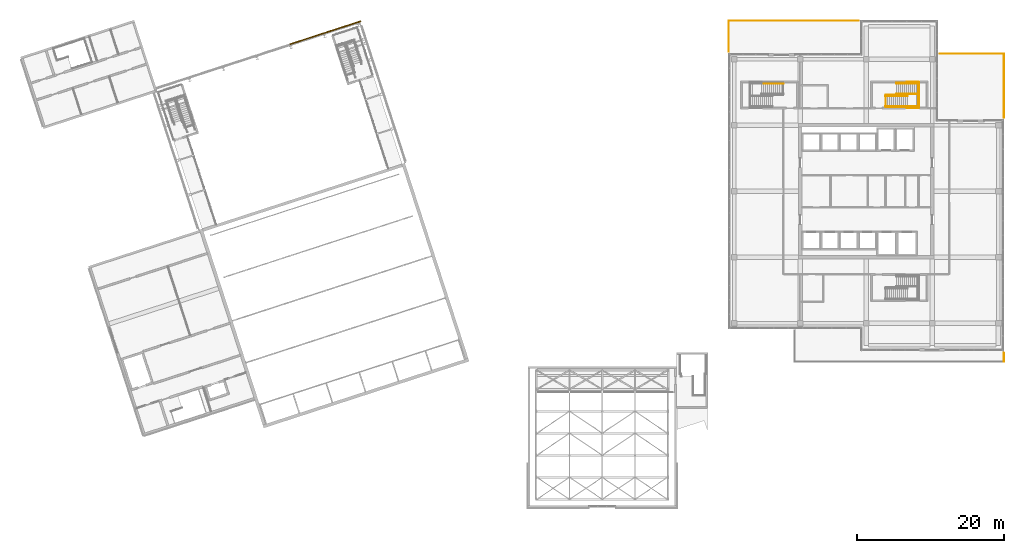
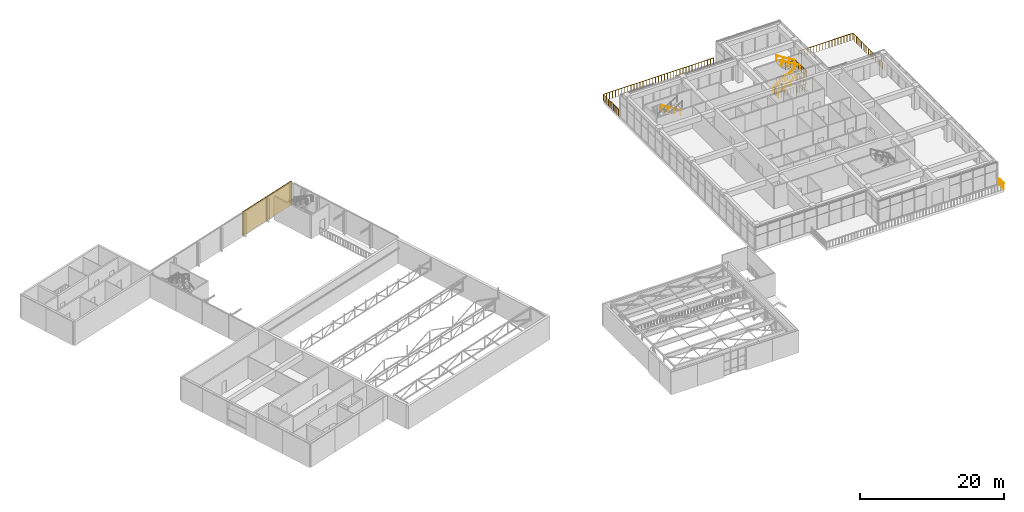
# One storey, part 81 of 81: 14 railings, 2 coverings.
"""IFC4 building model written with IfcOpenShell, lengths in metres."""

import ifcopenshell
import ifcopenshell.guid

model = None  # the IFC model being written
_history = None  # IfcOwnerHistory: only IFC2X3 demands one
_inside = {}  # id of a spatial element -> (the spatial element, [elements in it])
_under = {}  # id of a project, library or spatial element -> (it, [spatial elements below it])
_declared = {}  # id of a project -> (the project, [libraries it declares])
_typed = {}  # id of a type object -> (the type object, [elements of that type])
_made_of = {}  # id of a material, layer set ... -> (it, [elements and type objects made of it])


def new_model(schema):
    """Start an empty IFC model of exactly this schema.

    Asked for "IFC4X3", IfcOpenShell would pick the latest addendum, in which some entities
    have other attributes; the version numbers below select the first issue.
    IFC2X3 requires an IfcOwnerHistory on every rooted entity: one is made here for all.
    """
    global model, _history
    if schema == "IFC4X3":
        model = ifcopenshell.file(schema_version=(4, 3, 0, 0))
    else:
        model = ifcopenshell.file(schema=schema)
    _inside.clear()
    _under.clear()
    _declared.clear()
    _typed.clear()
    _made_of.clear()
    _history = None
    if model.schema == "IFC2X3":
        org = make("IfcOrganization", Name="unknown")
        user = make(
            "IfcPersonAndOrganization",
            ThePerson=make("IfcPerson", FamilyName="unknown"),
            TheOrganization=org,
        )
        app = make(
            "IfcApplication",
            ApplicationDeveloper=org,
            Version="unknown",
            ApplicationFullName="unknown",
            ApplicationIdentifier="unknown",
        )
        _history = make(
            "IfcOwnerHistory",
            OwningUser=user,
            OwningApplication=app,
            ChangeAction="ADDED",
            CreationDate=0,
        )
    return model


def make(cls, **values):
    """One entity of the class cls with the attributes given. An attribute that is None is left unset."""
    return model.create_entity(
        cls, **{name: value for name, value in values.items() if value is not None}
    )


def rooted(cls, **values):
    """An entity with a GlobalId (a new one), such as an element, a storey or a relation."""
    return make(cls, GlobalId=ifcopenshell.guid.new(), OwnerHistory=_history, **values)


def si_unit(unit_type, name, prefix=None):
    """IfcSIUnit, for example si_unit("LENGTHUNIT", "METRE", prefix="MILLI")."""
    return make("IfcSIUnit", UnitType=unit_type, Prefix=prefix, Name=name)


def assignment(units):
    """IfcUnitAssignment: the units of a project."""
    return None if units is None else make("IfcUnitAssignment", Units=units)


def point(xyz):
    """IfcCartesianPoint."""
    return None if xyz is None else make("IfcCartesianPoint", Coordinates=xyz)


def direction(xyz):
    """IfcDirection."""
    return None if xyz is None else make("IfcDirection", DirectionRatios=xyz)


def frame(location, z_axis=None, x_axis=None):
    """IfcAxis2Placement3D, a coordinate frame: its origin and axes. An axis left out is left unset."""
    return make(
        "IfcAxis2Placement3D",
        Location=point(location),
        Axis=direction(z_axis),
        RefDirection=direction(x_axis),
    )


def frame_2d(location, x_axis=None):
    """IfcAxis2Placement2D, a coordinate frame in the plane: its origin and x axis."""
    return make(
        "IfcAxis2Placement2D", Location=point(location), RefDirection=direction(x_axis)
    )


def origin():
    """The frame at (0, 0, 0) with its axes left unset."""
    return frame((0.0, 0.0, 0.0))


def origin_2d():
    """The frame at (0, 0) in the plane with its x axis left unset."""
    return frame_2d((0.0, 0.0))


def place(relative_to, where):
    """IfcLocalPlacement: puts the frame where relative to a parent placement (None: the world)."""
    return make(
        "IfcLocalPlacement", PlacementRelTo=relative_to, RelativePlacement=where
    )


def context(
    kind, dimensions, precision=None, world=None, true_north=None, identifier=None
):
    """IfcGeometricRepresentationContext, for example the 3D "Model" context."""
    return make(
        "IfcGeometricRepresentationContext",
        ContextIdentifier=identifier,
        ContextType=kind,
        CoordinateSpaceDimension=dimensions,
        Precision=precision,
        WorldCoordinateSystem=world,
        TrueNorth=true_north,
    )


def subcontext(parent, identifier, kind, view, scale=None):
    """IfcGeometricRepresentationSubContext, for example "Body" below "Model"."""
    return make(
        "IfcGeometricRepresentationSubContext",
        ContextIdentifier=identifier,
        ContextType=kind,
        ParentContext=parent,
        TargetScale=scale,
        TargetView=view,
    )


def project(units=None, contexts=None):
    """IfcProject with its units and contexts."""
    return rooted(
        "IfcProject",
        Name="project",
        RepresentationContexts=contexts,
        UnitsInContext=assignment(units),
    )


def spatial(cls, under=None, at=None, **own):
    """A site, building, storey or space (cls), placed at a placement, below another one or the project."""
    s = rooted(cls, ObjectPlacement=at, **own)
    if under is not None:
        _under.setdefault(under.id(), (under, []))[1].append(s)
    return s


def polyline(points):
    """IfcPolyline through the points."""
    return make("IfcPolyline", Points=[point(p) for p in points])


def profile(cls, at=None, kind="AREA", **sizes):
    """A parametric profile (cls). Its sizes go by their IFC names, for example OverallWidth=200.0."""
    return make(cls, ProfileType=kind, Position=at, **sizes)


def circle(**sizes):
    """IfcCircleProfileDef."""
    return profile("IfcCircleProfileDef", **sizes)


def outline(outer, holes=None, kind="AREA"):
    """IfcArbitraryClosedProfileDef: a profile drawn as a closed curve; with holes, ...WithVoids."""
    if holes is None:
        return make("IfcArbitraryClosedProfileDef", ProfileType=kind, OuterCurve=outer)
    return make(
        "IfcArbitraryProfileDefWithVoids",
        ProfileType=kind,
        OuterCurve=outer,
        InnerCurves=holes,
    )


def extrude(swept, where, along, depth):
    """IfcExtrudedAreaSolid: the profile swept, set in the frame where, extruded along a direction by depth."""
    return make(
        "IfcExtrudedAreaSolid",
        SweptArea=swept,
        Position=where,
        ExtrudedDirection=direction(along),
        Depth=depth,
    )


def shape(context_of_items, identifier, shape_type, items):
    """IfcShapeRepresentation: the items that make up one representation, for example the "Body"."""
    return make(
        "IfcShapeRepresentation",
        ContextOfItems=context_of_items,
        RepresentationIdentifier=identifier,
        RepresentationType=shape_type,
        Items=items,
    )


def material(Name=None, Category=None):
    """IfcMaterial."""
    return make("IfcMaterial", Name=Name, Category=Category)


def layer(
    of_material, thickness, ventilated=None, Name=None, Category=None, Priority=None
):
    """IfcMaterialLayer: one layer of a wall or slab, of a material (None: an air gap)."""
    return make(
        "IfcMaterialLayer",
        Material=of_material,
        LayerThickness=thickness,
        IsVentilated=ventilated,
        Name=Name,
        Category=Category,
        Priority=Priority,
    )


def layer_set(layers, Name=None):
    """IfcMaterialLayerSet."""
    return make("IfcMaterialLayerSet", MaterialLayers=layers, LayerSetName=Name)


def made_of(thing, what):
    """Note that an element or type object is made of a material, layer set ...; save() writes the relation."""
    if what is not None:
        _made_of.setdefault(what.id(), (what, []))[1].append(thing)
    return thing


def type_object(cls, material=None, **own):
    """A type object (cls), such as IfcWallType, which elements share."""
    return made_of(rooted(cls, **own), material)


def element(
    cls,
    number,
    at=None,
    inside=None,
    cuts=None,
    type_object=None,
    material=None,
    context=None,
    identifier="Body",
    shape_type=None,
    held_by="IfcProductDefinitionShape",
    body=None,
    shapes=None,
    **own,
):
    """One element of the class cls, such as IfcWall. Its Tag is "e" and its number.

    at: its placement. inside: the storey or other place that contains it. cuts: it is an
    opening in that element (IfcRelVoidsElement). A single representation is given by context,
    identifier, shape_type and body (its items); several are given by shapes. held_by: the class
    of the entity that holds the representations. save() writes the other relations.
    """
    e = rooted(cls, Tag="e%d" % number, ObjectPlacement=at, **own)
    if body is not None:
        shapes = [shape(context, identifier, shape_type, body)]
    if shapes is not None:
        e.Representation = make(held_by, Representations=shapes)
    if inside is not None:
        _inside.setdefault(inside.id(), (inside, []))[1].append(e)
    if cuts is not None:
        rooted(
            "IfcRelVoidsElement", RelatingBuildingElement=cuts, RelatedOpeningElement=e
        )
    if type_object is not None:
        _typed.setdefault(type_object.id(), (type_object, []))[1].append(e)
    return made_of(e, material)


def aggregate(whole, parts):
    """IfcRelAggregates: a whole, such as a stair, and the parts it consists of."""
    return rooted("IfcRelAggregates", RelatingObject=whole, RelatedObjects=parts)


def save(model, path):
    """Write the relations noted so far, then the file.

    IfcRelAggregates (storeys below a building ...), IfcRelContainedInSpatialStructure (elements
    in a storey), IfcRelDefinesByType, IfcRelAssociatesMaterial and IfcRelDeclares: one each for
    every whole, place, type object, material and project.
    """
    for whole, parts in _under.values():
        aggregate(whole, parts)
    for where, things in _inside.values():
        rooted(
            "IfcRelContainedInSpatialStructure",
            RelatedElements=things,
            RelatingStructure=where,
        )
    for kind, things in _typed.values():
        rooted("IfcRelDefinesByType", RelatedObjects=things, RelatingType=kind)
    for what, things in _made_of.values():
        rooted("IfcRelAssociatesMaterial", RelatedObjects=things, RelatingMaterial=what)
    for by, libraries in _declared.values():
        rooted("IfcRelDeclares", RelatingContext=by, RelatedDefinitions=libraries)
    model.write(path)


model = new_model("IFC4")

# Units and contexts
model_context = context("Model", 3, precision=1e-05, world=origin(), true_north=direction((0.0, 1.0)))
body_context = subcontext(model_context, "Body", "Model", "MODEL_VIEW")
ifc_project = project(units=[si_unit("LENGTHUNIT", "METRE"), si_unit("AREAUNIT", "SQUARE_METRE"), si_unit("VOLUMEUNIT", "CUBIC_METRE"), si_unit("PLANEANGLEUNIT", "RADIAN"), si_unit("MASSUNIT", "GRAM", prefix="KILO")], contexts=[model_context])

# Site, building, storey
site_placement = place(None, origin())
site = spatial("IfcSite", under=ifc_project, at=site_placement, CompositionType="ELEMENT")
building_placement = place(site_placement, origin())
building = spatial("IfcBuilding", under=site, at=building_placement, Name="Tuart Plaza Theatre", CompositionType="ELEMENT")
storey_placement = place(building_placement, frame((0.0, 0.0, 17.5)))
storey = spatial("IfcBuildingStorey", under=building, at=storey_placement, Name="L04", CompositionType="ELEMENT", Elevation=17.5)

# Coverings
ifc_material_1 = material(Name="Zinc")
ifc_layer = layer(ifc_material_1, 0.14990234375)
ifc_layer_set = layer_set([ifc_layer], Name="COVERING-ZINC-RAINSCREEN150")
covering_type = type_object("IfcCoveringType", Name="COVERING-ZINC-RAINSCREEN150", PredefinedType="CLADDING", material=ifc_layer_set)
covering_1_placement = place(storey_placement, origin())
element("IfcCovering", 1, at=covering_1_placement, inside=storey, type_object=covering_type, Name="CL34", PredefinedType="CLADDING", context=body_context, shape_type="SweptSolid", body=[
    extrude(outline(polyline([(53.404541015625, 94.117919921875), (57.982421875, 95.605224609375), (58.02880859375, 95.462646484375), (53.450927734375, 93.975341796875), (53.404541015625, 94.117919921875)])), origin(), (0.0, 0.0, 1.0), 4.0),
])
covering_2_placement = place(storey_placement, origin())
element("IfcCovering", 2, at=covering_2_placement, inside=storey, type_object=covering_type, Name="CL35", PredefinedType="CLADDING", context=body_context, shape_type="SweptSolid", body=[
    extrude(outline(polyline([(58.00146484375, 95.611572265625), (63.07861328125, 97.260986328125), (63.124755859375, 97.118408203125), (58.0478515625, 95.46875), (58.00146484375, 95.611572265625)])), origin(), (0.0, 0.0, 1.0), 4.0),
])

# Railings
ifc_material_2 = material(Name="Steel Grade C350L0", Category="steel")
railing_type_1 = type_object("IfcRailingType", Name="RAILING Guard 1100", PredefinedType="GUARDRAIL", material=ifc_material_2)
railing_1_placement = place(storey_placement, frame((113.25, 93.050048828125, 0.0)))
element("IfcRailing", 3, at=railing_1_placement, inside=storey, type_object=railing_type_1, Name="GR179", PredefinedType="GUARDRAIL", context=body_context, shape_type="SweptSolid", body=[
    extrude(circle(Radius=0.02490234375, at=origin_2d()), frame((0.0, 0.0, 1.0751953125), z_axis=(0.0, 1.0, 0.0), x_axis=(-1.0, 0.0, 0.0)), (0.0, 0.0, 1.0), 4.199951171875),
    extrude(circle(Radius=0.02490234375, at=origin_2d()), frame((0.0, 4.199951171875, 1.0751953125), z_axis=(1.0, 0.0, 0.0), x_axis=(0.0, 1.0, 0.0)), (0.0, 0.0, 1.0), 17.699951171875),
    extrude(circle(Radius=0.02001953125, at=origin_2d()), origin(), (0.0, 0.0, 1.0), 1.050048828125),
    extrude(circle(Radius=0.02001953125, at=origin_2d()), frame((0.0, 0.466552734375, 0.0)), (0.0, 0.0, 1.0), 1.050048828125),
    extrude(circle(Radius=0.02001953125, at=origin_2d()), frame((0.0, 0.933349609375, 0.0)), (0.0, 0.0, 1.0), 1.050048828125),
    extrude(circle(Radius=0.02001953125, at=origin_2d()), frame((0.0, 1.39990234375, 0.0)), (0.0, 0.0, 1.0), 1.050048828125),
    extrude(circle(Radius=0.02001953125, at=origin_2d()), frame((0.0, 1.86669921875, 0.0)), (0.0, 0.0, 1.0), 1.050048828125),
    extrude(circle(Radius=0.02001953125, at=origin_2d()), frame((0.0, 2.333251953125, 0.0)), (0.0, 0.0, 1.0), 1.050048828125),
    extrude(circle(Radius=0.02001953125, at=origin_2d()), frame((0.0, 2.800048828125, 0.0)), (0.0, 0.0, 1.0), 1.050048828125),
    extrude(circle(Radius=0.02001953125, at=origin_2d()), frame((0.0, 3.2666015625, 0.0)), (0.0, 0.0, 1.0), 1.050048828125),
    extrude(circle(Radius=0.02001953125, at=origin_2d()), frame((0.0, 3.7333984375, 0.0)), (0.0, 0.0, 1.0), 1.050048828125),
    extrude(circle(Radius=0.02001953125, at=origin_2d()), frame((0.0, 4.199951171875, 0.0)), (0.0, 0.0, 1.0), 1.050048828125),
    extrude(circle(Radius=0.02001953125, at=origin_2d()), frame((0.49169921875, 4.199951171875, 0.0)), (0.0, 0.0, 1.0), 1.050048828125),
    extrude(circle(Radius=0.02001953125, at=origin_2d()), frame((0.9833984375, 4.199951171875, 0.0)), (0.0, 0.0, 1.0), 1.050048828125),
    extrude(circle(Radius=0.02001953125, at=origin_2d()), frame((1.47509765625, 4.199951171875, 0.0)), (0.0, 0.0, 1.0), 1.050048828125),
    extrude(circle(Radius=0.02001953125, at=origin_2d()), frame((1.966552734375, 4.199951171875, 0.0)), (0.0, 0.0, 1.0), 1.050048828125),
    extrude(circle(Radius=0.02001953125, at=origin_2d()), frame((2.458251953125, 4.199951171875, 0.0)), (0.0, 0.0, 1.0), 1.050048828125),
    extrude(circle(Radius=0.02001953125, at=origin_2d()), frame((2.949951171875, 4.199951171875, 0.0)), (0.0, 0.0, 1.0), 1.050048828125),
    extrude(circle(Radius=0.02001953125, at=origin_2d()), frame((3.441650390625, 4.199951171875, 0.0)), (0.0, 0.0, 1.0), 1.050048828125),
    extrude(circle(Radius=0.02001953125, at=origin_2d()), frame((3.933349609375, 4.199951171875, 0.0)), (0.0, 0.0, 1.0), 1.050048828125),
    extrude(circle(Radius=0.02001953125, at=origin_2d()), frame((4.425048828125, 4.199951171875, 0.0)), (0.0, 0.0, 1.0), 1.050048828125),
    extrude(circle(Radius=0.02001953125, at=origin_2d()), frame((4.916748046875, 4.199951171875, 0.0)), (0.0, 0.0, 1.0), 1.050048828125),
    extrude(circle(Radius=0.02001953125, at=origin_2d()), frame((5.408203125, 4.199951171875, 0.0)), (0.0, 0.0, 1.0), 1.050048828125),
    extrude(circle(Radius=0.02001953125, at=origin_2d()), frame((5.89990234375, 4.199951171875, 0.0)), (0.0, 0.0, 1.0), 1.050048828125),
    extrude(circle(Radius=0.02001953125, at=origin_2d()), frame((6.3916015625, 4.199951171875, 0.0)), (0.0, 0.0, 1.0), 1.050048828125),
    extrude(circle(Radius=0.02001953125, at=origin_2d()), frame((6.88330078125, 4.199951171875, 0.0)), (0.0, 0.0, 1.0), 1.050048828125),
    extrude(circle(Radius=0.02001953125, at=origin_2d()), frame((7.375, 4.199951171875, 0.0)), (0.0, 0.0, 1.0), 1.050048828125),
    extrude(circle(Radius=0.02001953125, at=origin_2d()), frame((7.86669921875, 4.199951171875, 0.0)), (0.0, 0.0, 1.0), 1.050048828125),
    extrude(circle(Radius=0.02001953125, at=origin_2d()), frame((8.3583984375, 4.199951171875, 0.0)), (0.0, 0.0, 1.0), 1.050048828125),
    extrude(circle(Radius=0.02001953125, at=origin_2d()), frame((8.85009765625, 4.199951171875, 0.0)), (0.0, 0.0, 1.0), 1.050048828125),
    extrude(circle(Radius=0.02001953125, at=origin_2d()), frame((9.341552734375, 4.199951171875, 0.0)), (0.0, 0.0, 1.0), 1.050048828125),
    extrude(circle(Radius=0.02001953125, at=origin_2d()), frame((9.833251953125, 4.199951171875, 0.0)), (0.0, 0.0, 1.0), 1.050048828125),
    extrude(circle(Radius=0.02001953125, at=origin_2d()), frame((10.324951171875, 4.199951171875, 0.0)), (0.0, 0.0, 1.0), 1.050048828125),
    extrude(circle(Radius=0.02001953125, at=origin_2d()), frame((10.816650390625, 4.199951171875, 0.0)), (0.0, 0.0, 1.0), 1.050048828125),
    extrude(circle(Radius=0.02001953125, at=origin_2d()), frame((11.308349609375, 4.199951171875, 0.0)), (0.0, 0.0, 1.0), 1.050048828125),
    extrude(circle(Radius=0.02001953125, at=origin_2d()), frame((11.800048828125, 4.199951171875, 0.0)), (0.0, 0.0, 1.0), 1.050048828125),
    extrude(circle(Radius=0.02001953125, at=origin_2d()), frame((12.291748046875, 4.199951171875, 0.0)), (0.0, 0.0, 1.0), 1.050048828125),
    extrude(circle(Radius=0.02001953125, at=origin_2d()), frame((12.783203125, 4.199951171875, 0.0)), (0.0, 0.0, 1.0), 1.050048828125),
    extrude(circle(Radius=0.02001953125, at=origin_2d()), frame((13.27490234375, 4.199951171875, 0.0)), (0.0, 0.0, 1.0), 1.050048828125),
    extrude(circle(Radius=0.02001953125, at=origin_2d()), frame((13.7666015625, 4.199951171875, 0.0)), (0.0, 0.0, 1.0), 1.050048828125),
    extrude(circle(Radius=0.02001953125, at=origin_2d()), frame((14.25830078125, 4.199951171875, 0.0)), (0.0, 0.0, 1.0), 1.050048828125),
    extrude(circle(Radius=0.02001953125, at=origin_2d()), frame((14.75, 4.199951171875, 0.0)), (0.0, 0.0, 1.0), 1.050048828125),
    extrude(circle(Radius=0.02001953125, at=origin_2d()), frame((15.24169921875, 4.199951171875, 0.0)), (0.0, 0.0, 1.0), 1.050048828125),
    extrude(circle(Radius=0.02001953125, at=origin_2d()), frame((15.7333984375, 4.199951171875, 0.0)), (0.0, 0.0, 1.0), 1.050048828125),
    extrude(circle(Radius=0.02001953125, at=origin_2d()), frame((16.224853515625, 4.199951171875, 0.0)), (0.0, 0.0, 1.0), 1.050048828125),
    extrude(circle(Radius=0.02001953125, at=origin_2d()), frame((16.716552734375, 4.199951171875, 0.0)), (0.0, 0.0, 1.0), 1.050048828125),
    extrude(circle(Radius=0.02001953125, at=origin_2d()), frame((17.208251953125, 4.199951171875, 0.0)), (0.0, 0.0, 1.0), 1.050048828125),
    extrude(circle(Radius=0.02001953125, at=origin_2d()), frame((17.699951171875, 4.199951171875, 0.0)), (0.0, 0.0, 1.0), 1.050048828125),
])
railing_2_placement = place(storey_placement, frame((150.75, 92.75, 0.0)))
element("IfcRailing", 4, at=railing_2_placement, inside=storey, type_object=railing_type_1, Name="GR180", PredefinedType="GUARDRAIL", context=body_context, shape_type="SweptSolid", body=[
    extrude(circle(Radius=0.02490234375, at=origin_2d()), frame((0.0, 0.0, 1.0751953125), z_axis=(0.0, -1.0, 0.0), x_axis=(1.0, 0.0, 0.0)), (0.0, 0.0, 1.0), 8.699951171875),
    extrude(circle(Radius=0.02001953125, at=origin_2d()), origin(), (0.0, 0.0, 1.0), 1.050048828125),
    extrude(circle(Radius=0.02001953125, at=origin_2d()), frame((0.0, -0.4833984375, 0.0)), (0.0, 0.0, 1.0), 1.050048828125),
    extrude(circle(Radius=0.02001953125, at=origin_2d()), frame((0.0, -0.966552734375, 0.0)), (0.0, 0.0, 1.0), 1.050048828125),
    extrude(circle(Radius=0.02001953125, at=origin_2d()), frame((0.0, -1.449951171875, 0.0)), (0.0, 0.0, 1.0), 1.050048828125),
    extrude(circle(Radius=0.02001953125, at=origin_2d()), frame((0.0, -1.933349609375, 0.0)), (0.0, 0.0, 1.0), 1.050048828125),
    extrude(circle(Radius=0.02001953125, at=origin_2d()), frame((0.0, -2.416748046875, 0.0)), (0.0, 0.0, 1.0), 1.050048828125),
    extrude(circle(Radius=0.02001953125, at=origin_2d()), frame((0.0, -2.89990234375, 0.0)), (0.0, 0.0, 1.0), 1.050048828125),
    extrude(circle(Radius=0.02001953125, at=origin_2d()), frame((0.0, -3.38330078125, 0.0)), (0.0, 0.0, 1.0), 1.050048828125),
    extrude(circle(Radius=0.02001953125, at=origin_2d()), frame((0.0, -3.86669921875, 0.0)), (0.0, 0.0, 1.0), 1.050048828125),
    extrude(circle(Radius=0.02001953125, at=origin_2d()), frame((0.0, -4.35009765625, 0.0)), (0.0, 0.0, 1.0), 1.050048828125),
    extrude(circle(Radius=0.02001953125, at=origin_2d()), frame((0.0, -4.833251953125, 0.0)), (0.0, 0.0, 1.0), 1.050048828125),
    extrude(circle(Radius=0.02001953125, at=origin_2d()), frame((0.0, -5.316650390625, 0.0)), (0.0, 0.0, 1.0), 1.050048828125),
    extrude(circle(Radius=0.02001953125, at=origin_2d()), frame((0.0, -5.800048828125, 0.0)), (0.0, 0.0, 1.0), 1.050048828125),
    extrude(circle(Radius=0.02001953125, at=origin_2d()), frame((0.0, -6.283203125, 0.0)), (0.0, 0.0, 1.0), 1.050048828125),
    extrude(circle(Radius=0.02001953125, at=origin_2d()), frame((0.0, -6.7666015625, 0.0)), (0.0, 0.0, 1.0), 1.050048828125),
    extrude(circle(Radius=0.02001953125, at=origin_2d()), frame((0.0, -7.25, 0.0)), (0.0, 0.0, 1.0), 1.050048828125),
    extrude(circle(Radius=0.02001953125, at=origin_2d()), frame((0.0, -7.7333984375, 0.0)), (0.0, 0.0, 1.0), 1.050048828125),
    extrude(circle(Radius=0.02001953125, at=origin_2d()), frame((0.0, -8.216552734375, 0.0)), (0.0, 0.0, 1.0), 1.050048828125),
    extrude(circle(Radius=0.02001953125, at=origin_2d()), frame((0.0, -8.699951171875, 0.0)), (0.0, 0.0, 1.0), 1.050048828125),
])
railing_3_placement = place(storey_placement, frame((142.050048828125, 92.75, 0.0)))
element("IfcRailing", 5, at=railing_3_placement, inside=storey, type_object=railing_type_1, Name="GR181", PredefinedType="GUARDRAIL", context=body_context, shape_type="SweptSolid", body=[
    extrude(circle(Radius=0.02490234375, at=origin_2d()), frame((0.0, 0.0, 1.0751953125), z_axis=(1.0, 0.0, 0.0), x_axis=(0.0, 1.0, 0.0)), (0.0, 0.0, 1.0), 8.699951171875),
    extrude(circle(Radius=0.02001953125, at=origin_2d()), origin(), (0.0, 0.0, 1.0), 1.050048828125),
    extrude(circle(Radius=0.02001953125, at=origin_2d()), frame((0.4833984375, 0.0, 0.0)), (0.0, 0.0, 1.0), 1.050048828125),
    extrude(circle(Radius=0.02001953125, at=origin_2d()), frame((0.966552734375, 0.0, 0.0)), (0.0, 0.0, 1.0), 1.050048828125),
    extrude(circle(Radius=0.02001953125, at=origin_2d()), frame((1.449951171875, 0.0, 0.0)), (0.0, 0.0, 1.0), 1.050048828125),
    extrude(circle(Radius=0.02001953125, at=origin_2d()), frame((1.933349609375, 0.0, 0.0)), (0.0, 0.0, 1.0), 1.050048828125),
    extrude(circle(Radius=0.02001953125, at=origin_2d()), frame((2.416748046875, 0.0, 0.0)), (0.0, 0.0, 1.0), 1.050048828125),
    extrude(circle(Radius=0.02001953125, at=origin_2d()), frame((2.89990234375, 0.0, 0.0)), (0.0, 0.0, 1.0), 1.050048828125),
    extrude(circle(Radius=0.02001953125, at=origin_2d()), frame((3.38330078125, 0.0, 0.0)), (0.0, 0.0, 1.0), 1.050048828125),
    extrude(circle(Radius=0.02001953125, at=origin_2d()), frame((3.86669921875, 0.0, 0.0)), (0.0, 0.0, 1.0), 1.050048828125),
    extrude(circle(Radius=0.02001953125, at=origin_2d()), frame((4.35009765625, 0.0, 0.0)), (0.0, 0.0, 1.0), 1.050048828125),
    extrude(circle(Radius=0.02001953125, at=origin_2d()), frame((4.833251953125, 0.0, 0.0)), (0.0, 0.0, 1.0), 1.050048828125),
    extrude(circle(Radius=0.02001953125, at=origin_2d()), frame((5.316650390625, 0.0, 0.0)), (0.0, 0.0, 1.0), 1.050048828125),
    extrude(circle(Radius=0.02001953125, at=origin_2d()), frame((5.800048828125, 0.0, 0.0)), (0.0, 0.0, 1.0), 1.050048828125),
    extrude(circle(Radius=0.02001953125, at=origin_2d()), frame((6.283203125, 0.0, 0.0)), (0.0, 0.0, 1.0), 1.050048828125),
    extrude(circle(Radius=0.02001953125, at=origin_2d()), frame((6.7666015625, 0.0, 0.0)), (0.0, 0.0, 1.0), 1.050048828125),
    extrude(circle(Radius=0.02001953125, at=origin_2d()), frame((7.25, 0.0, 0.0)), (0.0, 0.0, 1.0), 1.050048828125),
    extrude(circle(Radius=0.02001953125, at=origin_2d()), frame((7.7333984375, 0.0, 0.0)), (0.0, 0.0, 1.0), 1.050048828125),
    extrude(circle(Radius=0.02001953125, at=origin_2d()), frame((8.216552734375, 0.0, 0.0)), (0.0, 0.0, 1.0), 1.050048828125),
    extrude(circle(Radius=0.02001953125, at=origin_2d()), frame((8.699951171875, 0.0, 0.0)), (0.0, 0.0, 1.0), 1.050048828125),
])
railing_4_placement = place(storey_placement, frame((150.75, 51.949951171875, 0.0)))
element("IfcRailing", 6, at=railing_4_placement, inside=storey, type_object=railing_type_1, Name="GR183", PredefinedType="GUARDRAIL", context=body_context, shape_type="SweptSolid", body=[
    extrude(circle(Radius=0.02490234375, at=origin_2d()), frame((0.0, 0.0, 1.0751953125), z_axis=(0.0, -1.0, 0.0), x_axis=(1.0, 0.0, 0.0)), (0.0, 0.0, 1.0), 1.199951171875),
    extrude(circle(Radius=0.02001953125, at=origin_2d()), origin(), (0.0, 0.0, 1.0), 1.050048828125),
    extrude(circle(Radius=0.02001953125, at=origin_2d()), frame((0.0, -0.39990234375, 0.0)), (0.0, 0.0, 1.0), 1.050048828125),
    extrude(circle(Radius=0.02001953125, at=origin_2d()), frame((0.0, -0.800048828125, 0.0)), (0.0, 0.0, 1.0), 1.050048828125),
    extrude(circle(Radius=0.02001953125, at=origin_2d()), frame((0.0, -1.199951171875, 0.0)), (0.0, 0.0, 1.0), 1.050048828125),
])
railing_5_placement = place(storey_placement, frame((134.655029296875, 85.5, 0.0)))
element("IfcRailing", 7, at=railing_5_placement, inside=storey, type_object=railing_type_1, Name="GR293", PredefinedType="GUARDRAIL", context=body_context, shape_type="SweptSolid", body=[
    extrude(circle(Radius=0.02490234375, at=origin_2d()), frame((0.0, 0.0, 1.0751953125), z_axis=(0.0, 1.0, 0.0), x_axis=(-1.0, 0.0, 0.0)), (0.0, 0.0, 1.0), 1.625),
    extrude(circle(Radius=0.02490234375, at=origin_2d()), frame((0.0, 1.625, 1.0751953125), z_axis=(1.0, 0.0, 0.0), x_axis=(0.0, 1.0, 0.0)), (0.0, 0.0, 1.0), 1.455078125),
    extrude(circle(Radius=0.02001953125, at=origin_2d()), origin(), (0.0, 0.0, 1.0), 1.050048828125),
    extrude(circle(Radius=0.02001953125, at=origin_2d()), frame((0.0, 0.40625, 0.0)), (0.0, 0.0, 1.0), 1.050048828125),
    extrude(circle(Radius=0.02001953125, at=origin_2d()), frame((0.0, 0.8125, 0.0)), (0.0, 0.0, 1.0), 1.050048828125),
    extrude(circle(Radius=0.02001953125, at=origin_2d()), frame((0.0, 1.21875, 0.0)), (0.0, 0.0, 1.0), 1.050048828125),
    extrude(circle(Radius=0.02001953125, at=origin_2d()), frame((0.0, 1.625, 0.0)), (0.0, 0.0, 1.0), 1.050048828125),
    extrude(circle(Radius=0.02001953125, at=origin_2d()), frame((0.485107421875, 1.625, 0.0)), (0.0, 0.0, 1.0), 1.050048828125),
    extrude(circle(Radius=0.02001953125, at=origin_2d()), frame((0.969970703125, 1.625, 0.0)), (0.0, 0.0, 1.0), 1.050048828125),
    extrude(circle(Radius=0.02001953125, at=origin_2d()), frame((1.455078125, 1.625, 0.0)), (0.0, 0.0, 1.0), 1.050048828125),
])
railing_6_placement = place(storey_placement, frame((136.114990234375, 88.705078125, 0.0)))
element("IfcRailing", 8, at=railing_6_placement, inside=storey, type_object=railing_type_1, Name="GR294", PredefinedType="GUARDRAIL", context=body_context, shape_type="SweptSolid", body=[
    extrude(circle(Radius=0.02490234375, at=origin_2d()), frame((0.0, 0.0, 1.0751953125), z_axis=(0.0, 1.0, 0.0), x_axis=(-1.0, 0.0, 0.0)), (0.0, 0.0, 1.0), 0.044921875),
    extrude(circle(Radius=0.02490234375, at=origin_2d()), frame((0.0, 0.044921875, 1.0751953125), z_axis=(1.0, 0.0, 0.0), x_axis=(0.0, 1.0, 0.0)), (0.0, 0.0, 1.0), 1.43505859375),
    extrude(circle(Radius=0.02490234375, at=origin_2d()), frame((1.43505859375, 0.044921875, 1.0751953125), z_axis=(0.0, 1.0, 0.0), x_axis=(-1.0, 0.0, 0.0)), (0.0, 0.0, 1.0), 0.123046875),
    extrude(circle(Radius=0.02490234375, at=origin_2d()), frame((1.43505859375, 0.16796875, 1.0751953125), z_axis=(1.0, 0.0, 0.0), x_axis=(0.0, 1.0, 0.0)), (0.0, 0.0, 1.0), 1.6298828125),
    extrude(circle(Radius=0.02490234375, at=origin_2d()), frame((3.06494140625, 0.16796875, 1.0751953125), z_axis=(0.0, -1.0, 0.0), x_axis=(1.0, 0.0, 0.0)), (0.0, 0.0, 1.0), 3.49609375),
    extrude(circle(Radius=0.02490234375, at=origin_2d()), frame((3.06494140625, -3.328125, 1.0751953125), z_axis=(-1.0, 0.0, 0.0), x_axis=(0.0, -1.0, 0.0)), (0.0, 0.0, 1.0), 1.6298828125),
    extrude(circle(Radius=0.02490234375, at=origin_2d()), frame((1.43505859375, -3.328125, 1.0751953125), z_axis=(0.0, 1.0, 0.0), x_axis=(-1.0, 0.0, 0.0)), (0.0, 0.0, 1.0), 0.123046875),
    extrude(circle(Radius=0.02490234375, at=origin_2d()), frame((1.43505859375, -3.205078125, 1.0751953125), z_axis=(-1.0, 0.0, 0.0), x_axis=(0.0, -1.0, 0.0)), (0.0, 0.0, 1.0), 2.89501953125),
    extrude(circle(Radius=0.02001953125, at=origin_2d()), origin(), (0.0, 0.0, 1.0), 1.050048828125),
    extrude(circle(Radius=0.02001953125, at=origin_2d()), frame((0.0, 0.044921875, 0.0)), (0.0, 0.0, 1.0), 1.050048828125),
    extrude(circle(Radius=0.02001953125, at=origin_2d()), frame((0.478271484375, 0.044921875, 0.0)), (0.0, 0.0, 1.0), 1.050048828125),
    extrude(circle(Radius=0.02001953125, at=origin_2d()), frame((0.956787109375, 0.044921875, 0.0)), (0.0, 0.0, 1.0), 1.050048828125),
    extrude(circle(Radius=0.02001953125, at=origin_2d()), frame((1.43505859375, 0.044921875, 0.0)), (0.0, 0.0, 1.0), 1.050048828125),
    extrude(circle(Radius=0.02001953125, at=origin_2d()), frame((1.43505859375, 0.16796875, 0.0)), (0.0, 0.0, 1.0), 1.050048828125),
    extrude(circle(Radius=0.02001953125, at=origin_2d()), frame((1.842529296875, 0.16796875, 0.0)), (0.0, 0.0, 1.0), 1.050048828125),
    extrude(circle(Radius=0.02001953125, at=origin_2d()), frame((2.25, 0.16796875, 0.0)), (0.0, 0.0, 1.0), 1.050048828125),
    extrude(circle(Radius=0.02001953125, at=origin_2d()), frame((2.657470703125, 0.16796875, 0.0)), (0.0, 0.0, 1.0), 1.050048828125),
    extrude(circle(Radius=0.02001953125, at=origin_2d()), frame((3.06494140625, 0.16796875, 0.0)), (0.0, 0.0, 1.0), 1.050048828125),
    extrude(circle(Radius=0.02001953125, at=origin_2d()), frame((3.06494140625, -0.33154296875, 0.0)), (0.0, 0.0, 1.0), 1.050048828125),
    extrude(circle(Radius=0.02001953125, at=origin_2d()), frame((3.06494140625, -0.830810546875, 0.0)), (0.0, 0.0, 1.0), 1.050048828125),
    extrude(circle(Radius=0.02001953125, at=origin_2d()), frame((3.06494140625, -1.330322265625, 0.0)), (0.0, 0.0, 1.0), 1.050048828125),
    extrude(circle(Radius=0.02001953125, at=origin_2d()), frame((3.06494140625, -1.829833984375, 0.0)), (0.0, 0.0, 1.0), 1.050048828125),
    extrude(circle(Radius=0.02001953125, at=origin_2d()), frame((3.06494140625, -2.329345703125, 0.0)), (0.0, 0.0, 1.0), 1.050048828125),
    extrude(circle(Radius=0.02001953125, at=origin_2d()), frame((3.06494140625, -2.82861328125, 0.0)), (0.0, 0.0, 1.0), 1.050048828125),
    extrude(circle(Radius=0.02001953125, at=origin_2d()), frame((3.06494140625, -3.328125, 0.0)), (0.0, 0.0, 1.0), 1.050048828125),
    extrude(circle(Radius=0.02001953125, at=origin_2d()), frame((2.657470703125, -3.328125, 0.0)), (0.0, 0.0, 1.0), 1.050048828125),
    extrude(circle(Radius=0.02001953125, at=origin_2d()), frame((2.25, -3.328125, 0.0)), (0.0, 0.0, 1.0), 1.050048828125),
    extrude(circle(Radius=0.02001953125, at=origin_2d()), frame((1.842529296875, -3.328125, 0.0)), (0.0, 0.0, 1.0), 1.050048828125),
    extrude(circle(Radius=0.02001953125, at=origin_2d()), frame((1.43505859375, -3.328125, 0.0)), (0.0, 0.0, 1.0), 1.050048828125),
    extrude(circle(Radius=0.02001953125, at=origin_2d()), frame((1.43505859375, -3.205078125, 0.0)), (0.0, 0.0, 1.0), 1.050048828125),
    extrude(circle(Radius=0.02001953125, at=origin_2d()), frame((0.95263671875, -3.205078125, 0.0)), (0.0, 0.0, 1.0), 1.050048828125),
    extrude(circle(Radius=0.02001953125, at=origin_2d()), frame((0.469970703125, -3.205078125, 0.0)), (0.0, 0.0, 1.0), 1.050048828125),
    extrude(circle(Radius=0.02001953125, at=origin_2d()), frame((-0.012451171875, -3.205078125, 0.0)), (0.0, 0.0, 1.0), 1.050048828125),
    extrude(circle(Radius=0.02001953125, at=origin_2d()), frame((-0.494873046875, -3.205078125, 0.0)), (0.0, 0.0, 1.0), 1.050048828125),
    extrude(circle(Radius=0.02001953125, at=origin_2d()), frame((-0.9775390625, -3.205078125, 0.0)), (0.0, 0.0, 1.0), 1.050048828125),
    extrude(circle(Radius=0.02001953125, at=origin_2d()), frame((-1.4599609375, -3.205078125, 0.0)), (0.0, 0.0, 1.0), 1.050048828125),
])
railing_7_placement = place(storey_placement, frame((137.60009765625, 85.550048828125, 2.0)))
element("IfcRailing", 9, at=railing_7_placement, inside=storey, type_object=railing_type_1, Name="GR300", PredefinedType="GUARDRAIL", context=body_context, shape_type="SweptSolid", body=[
    extrude(circle(Radius=0.02490234375, at=origin_2d()), frame((0.0, 0.0, 1.0751953125), z_axis=(1.0, 0.0, 0.0), x_axis=(0.0, 1.0, 0.0)), (0.0, 0.0, 1.0), 1.52978515625),
    extrude(circle(Radius=0.02001953125, at=origin_2d()), origin(), (0.0, 0.0, 1.0), 1.050048828125),
    extrude(circle(Radius=0.02001953125, at=origin_2d()), frame((0.38232421875, 0.0, 0.0)), (0.0, 0.0, 1.0), 1.050048828125),
    extrude(circle(Radius=0.02001953125, at=origin_2d()), frame((0.764892578125, 0.0, 0.0)), (0.0, 0.0, 1.0), 1.050048828125),
    extrude(circle(Radius=0.02001953125, at=origin_2d()), frame((1.1474609375, 0.0, 0.0)), (0.0, 0.0, 1.0), 1.050048828125),
    extrude(circle(Radius=0.02001953125, at=origin_2d()), frame((1.52978515625, 0.0, 0.0)), (0.0, 0.0, 1.0), 1.050048828125),
])
railing_8_placement = place(storey_placement, frame((139.1298828125, 85.550048828125, 2.0)))
element("IfcRailing", 10, at=railing_8_placement, inside=storey, type_object=railing_type_1, Name="GR301", PredefinedType="GUARDRAIL", context=body_context, shape_type="SweptSolid", body=[
    extrude(circle(Radius=0.02490234375, at=origin_2d()), frame((0.0, 0.0, 1.0751953125), z_axis=(0.0, 1.0, 0.0), x_axis=(-1.0, 0.0, 0.0)), (0.0, 0.0, 1.0), 3.14990234375),
    extrude(circle(Radius=0.02001953125, at=origin_2d()), origin(), (0.0, 0.0, 1.0), 1.050048828125),
    extrude(circle(Radius=0.02001953125, at=origin_2d()), frame((0.0, 0.449951171875, 0.0)), (0.0, 0.0, 1.0), 1.050048828125),
    extrude(circle(Radius=0.02001953125, at=origin_2d()), frame((0.0, 0.89990234375, 0.0)), (0.0, 0.0, 1.0), 1.050048828125),
    extrude(circle(Radius=0.02001953125, at=origin_2d()), frame((0.0, 1.349853515625, 0.0)), (0.0, 0.0, 1.0), 1.050048828125),
    extrude(circle(Radius=0.02001953125, at=origin_2d()), frame((0.0, 1.800048828125, 0.0)), (0.0, 0.0, 1.0), 1.050048828125),
    extrude(circle(Radius=0.02001953125, at=origin_2d()), frame((0.0, 2.25, 0.0)), (0.0, 0.0, 1.0), 1.050048828125),
    extrude(circle(Radius=0.02001953125, at=origin_2d()), frame((0.0, 2.699951171875, 0.0)), (0.0, 0.0, 1.0), 1.050048828125),
    extrude(circle(Radius=0.02001953125, at=origin_2d()), frame((0.0, 3.14990234375, 0.0)), (0.0, 0.0, 1.0), 1.050048828125),
])
railing_9_placement = place(storey_placement, frame((139.1298828125, 88.699951171875, 2.0)))
element("IfcRailing", 11, at=railing_9_placement, inside=storey, type_object=railing_type_1, Name="GR302", PredefinedType="GUARDRAIL", context=body_context, shape_type="SweptSolid", body=[
    extrude(circle(Radius=0.02490234375, at=origin_2d()), frame((0.0, 0.0, 1.0751953125), z_axis=(-1.0, 0.0, 0.0), x_axis=(0.0, -1.0, 0.0)), (0.0, 0.0, 1.0), 1.52978515625),
    extrude(circle(Radius=0.02001953125, at=origin_2d()), origin(), (0.0, 0.0, 1.0), 1.050048828125),
    extrude(circle(Radius=0.02001953125, at=origin_2d()), frame((-0.38232421875, 0.0, 0.0)), (0.0, 0.0, 1.0), 1.050048828125),
    extrude(circle(Radius=0.02001953125, at=origin_2d()), frame((-0.764892578125, 0.0, 0.0)), (0.0, 0.0, 1.0), 1.050048828125),
    extrude(circle(Radius=0.02001953125, at=origin_2d()), frame((-1.1474609375, 0.0, 0.0)), (0.0, 0.0, 1.0), 1.050048828125),
    extrude(circle(Radius=0.02001953125, at=origin_2d()), frame((-1.52978515625, 0.0, 0.0)), (0.0, 0.0, 1.0), 1.050048828125),
])
ifc_material_3 = material(Name="Steel Grade C350L0", Category="steel")
railing_type_2 = type_object("IfcRailingType", Name="RAILING Handrail 900", PredefinedType="HANDRAIL", material=ifc_material_3)
for number, where, name in (
    (12, (134.594970703125, 87.0, 0.166748046875), "HR195"),
    (13, (134.594970703125, 85.60009765625, 0.166748046875), "HR196"),
):
    element("IfcRailing", number, at=place(storey_placement, frame(where)), inside=storey, type_object=railing_type_2, Name=name, PredefinedType="HANDRAIL", context=body_context, shape_type="SweptSolid", body=[
        extrude(circle(Radius=0.0224609375, at=origin_2d()), frame((0.0, 0.0, 0.87744140625), z_axis=(0.855219153138, 0.0, 0.518266533848), x_axis=(0.0, 1.0, 0.0)), (0.0, 0.0, 1.0), 3.537353515625),
        extrude(circle(Radius=0.01513671875, at=origin_2d()), origin(), (0.0, 0.0, 1.0), 0.85498046875),
        extrude(circle(Radius=0.01513671875, at=origin_2d()), frame((1.00830078125, 0.0, 0.611083984375)), (0.0, 0.0, 1.0), 0.85498046875),
        extrude(circle(Radius=0.01513671875, at=origin_2d()), frame((2.016845703125, 0.0, 1.22216796875)), (0.0, 0.0, 1.0), 0.85498046875),
        extrude(circle(Radius=0.01513671875, at=origin_2d()), frame((3.025146484375, 0.0, 1.833251953125)), (0.0, 0.0, 1.0), 0.85498046875),
    ])
for number, where, name in (
    (14, (139.1201171875, 87.25, 2.166748046875), "HR197"),
    (15, (139.1201171875, 88.64990234375, 2.166748046875), "HR198"),
    (16, (120.705078125, 88.64990234375, 0.166748046875), "HR260"),
):
    element("IfcRailing", number, at=place(storey_placement, frame(where)), inside=storey, type_object=railing_type_2, Name=name, PredefinedType="HANDRAIL", context=body_context, shape_type="SweptSolid", body=[
        extrude(circle(Radius=0.0224609375, at=origin_2d()), frame((0.0, 0.0, 0.87744140625), z_axis=(-0.855219153138, 0.0, 0.518266533848), x_axis=(0.0, -1.0, 0.0)), (0.0, 0.0, 1.0), 3.537353515625),
        extrude(circle(Radius=0.01513671875, at=origin_2d()), origin(), (0.0, 0.0, 1.0), 0.85498046875),
        extrude(circle(Radius=0.01513671875, at=origin_2d()), frame((-1.00830078125, 0.0, 0.611083984375)), (0.0, 0.0, 1.0), 0.85498046875),
        extrude(circle(Radius=0.01513671875, at=origin_2d()), frame((-2.016845703125, 0.0, 1.22216796875)), (0.0, 0.0, 1.0), 0.85498046875),
        extrude(circle(Radius=0.01513671875, at=origin_2d()), frame((-3.025146484375, 0.0, 1.833251953125)), (0.0, 0.0, 1.0), 0.85498046875),
    ])

save(model, "model.ifc")
